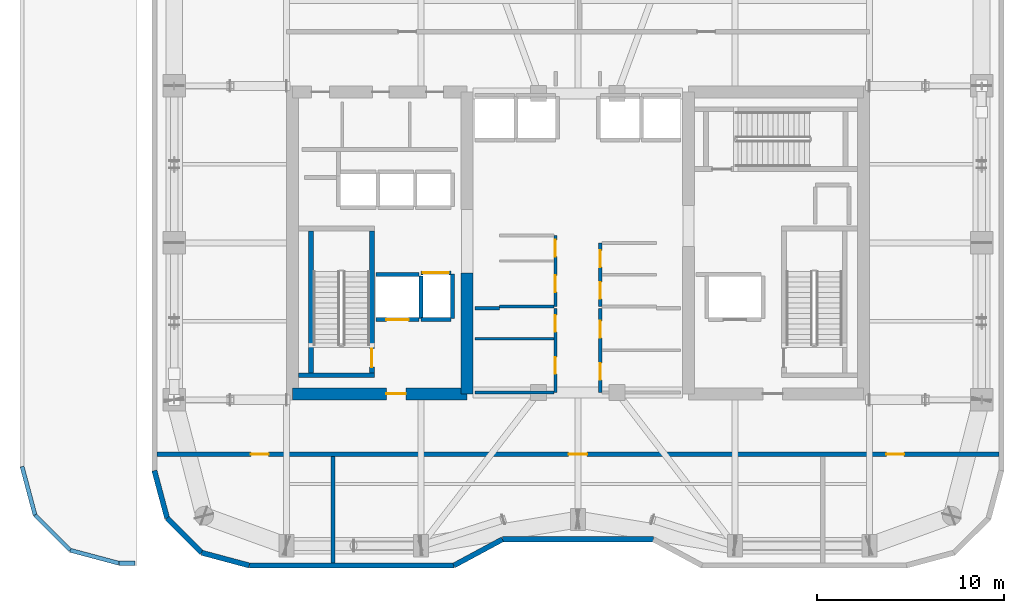
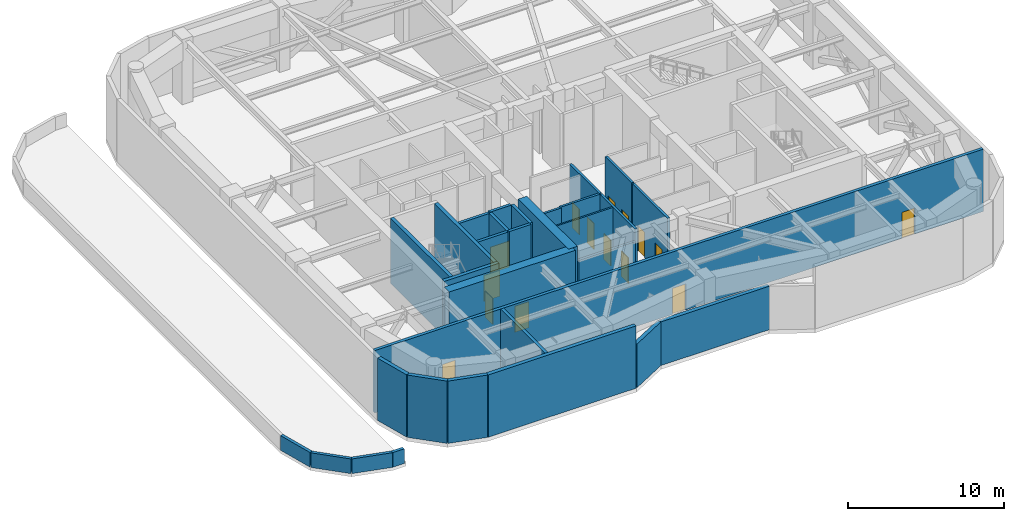
# One storey, part 11 of 16: 31 walls, 15 doors, 15 openings.
"""IFC4 building model written with IfcOpenShell, lengths in metres."""

import ifcopenshell
import ifcopenshell.guid

model = None  # the IFC model being written
_history = None  # IfcOwnerHistory: only IFC2X3 demands one
_inside = {}  # id of a spatial element -> (the spatial element, [elements in it])
_under = {}  # id of a project, library or spatial element -> (it, [spatial elements below it])
_declared = {}  # id of a project -> (the project, [libraries it declares])
_typed = {}  # id of a type object -> (the type object, [elements of that type])
_made_of = {}  # id of a material, layer set ... -> (it, [elements and type objects made of it])


def new_model(schema):
    """Start an empty IFC model of exactly this schema.

    Asked for "IFC4X3", IfcOpenShell would pick the latest addendum, in which some entities
    have other attributes; the version numbers below select the first issue.
    IFC2X3 requires an IfcOwnerHistory on every rooted entity: one is made here for all.
    """
    global model, _history
    if schema == "IFC4X3":
        model = ifcopenshell.file(schema_version=(4, 3, 0, 0))
    else:
        model = ifcopenshell.file(schema=schema)
    _inside.clear()
    _under.clear()
    _declared.clear()
    _typed.clear()
    _made_of.clear()
    _history = None
    if model.schema == "IFC2X3":
        org = make("IfcOrganization", Name="unknown")
        user = make(
            "IfcPersonAndOrganization",
            ThePerson=make("IfcPerson", FamilyName="unknown"),
            TheOrganization=org,
        )
        app = make(
            "IfcApplication",
            ApplicationDeveloper=org,
            Version="unknown",
            ApplicationFullName="unknown",
            ApplicationIdentifier="unknown",
        )
        _history = make(
            "IfcOwnerHistory",
            OwningUser=user,
            OwningApplication=app,
            ChangeAction="ADDED",
            CreationDate=0,
        )
    return model


def make(cls, **values):
    """One entity of the class cls with the attributes given. An attribute that is None is left unset."""
    return model.create_entity(
        cls, **{name: value for name, value in values.items() if value is not None}
    )


def rooted(cls, **values):
    """An entity with a GlobalId (a new one), such as an element, a storey or a relation."""
    return make(cls, GlobalId=ifcopenshell.guid.new(), OwnerHistory=_history, **values)


def si_unit(unit_type, name, prefix=None):
    """IfcSIUnit, for example si_unit("LENGTHUNIT", "METRE", prefix="MILLI")."""
    return make("IfcSIUnit", UnitType=unit_type, Prefix=prefix, Name=name)


def assignment(units):
    """IfcUnitAssignment: the units of a project."""
    return None if units is None else make("IfcUnitAssignment", Units=units)


def point(xyz):
    """IfcCartesianPoint."""
    return None if xyz is None else make("IfcCartesianPoint", Coordinates=xyz)


def direction(xyz):
    """IfcDirection."""
    return None if xyz is None else make("IfcDirection", DirectionRatios=xyz)


def frame(location, z_axis=None, x_axis=None):
    """IfcAxis2Placement3D, a coordinate frame: its origin and axes. An axis left out is left unset."""
    return make(
        "IfcAxis2Placement3D",
        Location=point(location),
        Axis=direction(z_axis),
        RefDirection=direction(x_axis),
    )


def frame_2d(location, x_axis=None):
    """IfcAxis2Placement2D, a coordinate frame in the plane: its origin and x axis."""
    return make(
        "IfcAxis2Placement2D", Location=point(location), RefDirection=direction(x_axis)
    )


def origin():
    """The frame at (0, 0, 0) with its axes left unset."""
    return frame((0.0, 0.0, 0.0))


def place(relative_to, where):
    """IfcLocalPlacement: puts the frame where relative to a parent placement (None: the world)."""
    return make(
        "IfcLocalPlacement", PlacementRelTo=relative_to, RelativePlacement=where
    )


def context(
    kind, dimensions, precision=None, world=None, true_north=None, identifier=None
):
    """IfcGeometricRepresentationContext, for example the 3D "Model" context."""
    return make(
        "IfcGeometricRepresentationContext",
        ContextIdentifier=identifier,
        ContextType=kind,
        CoordinateSpaceDimension=dimensions,
        Precision=precision,
        WorldCoordinateSystem=world,
        TrueNorth=true_north,
    )


def subcontext(parent, identifier, kind, view, scale=None):
    """IfcGeometricRepresentationSubContext, for example "Body" below "Model"."""
    return make(
        "IfcGeometricRepresentationSubContext",
        ContextIdentifier=identifier,
        ContextType=kind,
        ParentContext=parent,
        TargetScale=scale,
        TargetView=view,
    )


def project(units=None, contexts=None):
    """IfcProject with its units and contexts."""
    return rooted(
        "IfcProject",
        Name="project",
        RepresentationContexts=contexts,
        UnitsInContext=assignment(units),
    )


def spatial(cls, under=None, at=None, **own):
    """A site, building, storey or space (cls), placed at a placement, below another one or the project."""
    s = rooted(cls, ObjectPlacement=at, **own)
    if under is not None:
        _under.setdefault(under.id(), (under, []))[1].append(s)
    return s


def profile(cls, at=None, kind="AREA", **sizes):
    """A parametric profile (cls). Its sizes go by their IFC names, for example OverallWidth=200.0."""
    return make(cls, ProfileType=kind, Position=at, **sizes)


def rectangle(**sizes):
    """IfcRectangleProfileDef."""
    return profile("IfcRectangleProfileDef", **sizes)


def extrude(swept, where, along, depth):
    """IfcExtrudedAreaSolid: the profile swept, set in the frame where, extruded along a direction by depth."""
    return make(
        "IfcExtrudedAreaSolid",
        SweptArea=swept,
        Position=where,
        ExtrudedDirection=direction(along),
        Depth=depth,
    )


def shape(context_of_items, identifier, shape_type, items):
    """IfcShapeRepresentation: the items that make up one representation, for example the "Body"."""
    return make(
        "IfcShapeRepresentation",
        ContextOfItems=context_of_items,
        RepresentationIdentifier=identifier,
        RepresentationType=shape_type,
        Items=items,
    )


def material(Name=None, Category=None):
    """IfcMaterial."""
    return make("IfcMaterial", Name=Name, Category=Category)


def layer(
    of_material, thickness, ventilated=None, Name=None, Category=None, Priority=None
):
    """IfcMaterialLayer: one layer of a wall or slab, of a material (None: an air gap)."""
    return make(
        "IfcMaterialLayer",
        Material=of_material,
        LayerThickness=thickness,
        IsVentilated=ventilated,
        Name=Name,
        Category=Category,
        Priority=Priority,
    )


def layer_set(layers, Name=None):
    """IfcMaterialLayerSet."""
    return make("IfcMaterialLayerSet", MaterialLayers=layers, LayerSetName=Name)


def made_of(thing, what):
    """Note that an element or type object is made of a material, layer set ...; save() writes the relation."""
    if what is not None:
        _made_of.setdefault(what.id(), (what, []))[1].append(thing)
    return thing


def type_object(cls, material=None, **own):
    """A type object (cls), such as IfcWallType, which elements share."""
    return made_of(rooted(cls, **own), material)


def element(
    cls,
    number,
    at=None,
    inside=None,
    cuts=None,
    type_object=None,
    material=None,
    context=None,
    identifier="Body",
    shape_type=None,
    held_by="IfcProductDefinitionShape",
    body=None,
    shapes=None,
    **own,
):
    """One element of the class cls, such as IfcWall. Its Tag is "e" and its number.

    at: its placement. inside: the storey or other place that contains it. cuts: it is an
    opening in that element (IfcRelVoidsElement). A single representation is given by context,
    identifier, shape_type and body (its items); several are given by shapes. held_by: the class
    of the entity that holds the representations. save() writes the other relations.
    """
    e = rooted(cls, Tag="e%d" % number, ObjectPlacement=at, **own)
    if body is not None:
        shapes = [shape(context, identifier, shape_type, body)]
    if shapes is not None:
        e.Representation = make(held_by, Representations=shapes)
    if inside is not None:
        _inside.setdefault(inside.id(), (inside, []))[1].append(e)
    if cuts is not None:
        rooted(
            "IfcRelVoidsElement", RelatingBuildingElement=cuts, RelatedOpeningElement=e
        )
    if type_object is not None:
        _typed.setdefault(type_object.id(), (type_object, []))[1].append(e)
    return made_of(e, material)


def fill(opening, filler):
    """IfcRelFillsElement: the door or window that sits in an opening."""
    return rooted(
        "IfcRelFillsElement",
        RelatingOpeningElement=opening,
        RelatedBuildingElement=filler,
    )


def aggregate(whole, parts):
    """IfcRelAggregates: a whole, such as a stair, and the parts it consists of."""
    return rooted("IfcRelAggregates", RelatingObject=whole, RelatedObjects=parts)


def save(model, path):
    """Write the relations noted so far, then the file.

    IfcRelAggregates (storeys below a building ...), IfcRelContainedInSpatialStructure (elements
    in a storey), IfcRelDefinesByType, IfcRelAssociatesMaterial and IfcRelDeclares: one each for
    every whole, place, type object, material and project.
    """
    for whole, parts in _under.values():
        aggregate(whole, parts)
    for where, things in _inside.values():
        rooted(
            "IfcRelContainedInSpatialStructure",
            RelatedElements=things,
            RelatingStructure=where,
        )
    for kind, things in _typed.values():
        rooted("IfcRelDefinesByType", RelatedObjects=things, RelatingType=kind)
    for what, things in _made_of.values():
        rooted("IfcRelAssociatesMaterial", RelatedObjects=things, RelatingMaterial=what)
    for by, libraries in _declared.values():
        rooted("IfcRelDeclares", RelatingContext=by, RelatedDefinitions=libraries)
    model.write(path)


model = new_model("IFC4")

# Units and contexts
model_context = context("Model", 3, precision=1e-05, world=origin(), true_north=direction((0.0, 1.0)))
body_context = subcontext(model_context, "Body", "Model", "MODEL_VIEW")
ifc_project = project(units=[si_unit("LENGTHUNIT", "METRE"), si_unit("AREAUNIT", "SQUARE_METRE"), si_unit("VOLUMEUNIT", "CUBIC_METRE"), si_unit("PLANEANGLEUNIT", "RADIAN"), si_unit("MASSUNIT", "GRAM", prefix="KILO")], contexts=[model_context])

# Site, building, storey
site_placement = place(None, origin())
site = spatial("IfcSite", under=ifc_project, at=site_placement, CompositionType="ELEMENT")
building_placement = place(site_placement, origin())
building = spatial("IfcBuilding", under=site, at=building_placement, Name="Kiyonajd Concourse Tower", CompositionType="ELEMENT")
storey_placement = place(building_placement, frame((0.0, 0.0, 209.699951171875)))
storey = spatial("IfcBuildingStorey", under=building, at=storey_placement, Name="L53", CompositionType="ELEMENT", Elevation=209.699951171875)

# Wall
ifc_material_1 = material(Name="Concrete C60/75", Category="concrete")
ifc_layer_1 = layer(ifc_material_1, 0.64990234375)
ifc_layer_set_1 = layer_set([ifc_layer_1], Name="Concrete C60/75")
wall_type_1 = type_object("IfcWallType", Name="WL-CORE-650", PredefinedType="SHEAR", material=ifc_layer_set_1)
wall_1_placement = place(storey_placement, frame((42.074951171875, 27.925048828125, 0.0), z_axis=(0.0, 0.0, 1.0), x_axis=(0.0, 1.0, 0.0)))
element("IfcWall", 1, at=wall_1_placement, inside=storey, type_object=wall_type_1, Name="L53 West Core Inner South Shear Wall", PredefinedType="SHEAR", context=body_context, shape_type="SweptSolid", body=[
    extrude(rectangle(XDim=6.474853515625, YDim=0.64990234375, at=frame_2d((3.2373046875, 0.0))), origin(), (0.0, 0.0, 1.0), 5.10009765625),
])

# Wall, opening, door
wall_2_placement = place(storey_placement, frame((32.72509765625, 27.925048828125, 0.0), z_axis=(0.0, 0.0, 1.0), x_axis=(1.0, 0.0, 0.0)))
wall_2 = element("IfcWall", 2, at=wall_2_placement, inside=storey, type_object=wall_type_1, Name="L53 West Core South Shear Wall", PredefinedType="SHEAR", context=body_context, shape_type="SweptSolid", body=[
    extrude(rectangle(XDim=9.349853515625, YDim=0.64990234375, at=frame_2d((4.6748046875, 0.0))), origin(), (0.0, 0.0, 1.0), 5.10009765625),
])
opening_1_placement = place(wall_2_placement, frame((5.02490234375, 0.0, 0.0)))
opening_1 = element("IfcOpeningElement", 3, at=opening_1_placement, cuts=wall_2, Name="Opening DF5", PredefinedType="OPENING", context=body_context, shape_type="SweptSolid", body=[
    extrude(rectangle(XDim=1.050048828125, YDim=2.0400390625, at=frame_2d((0.52490234375, 1.02001953125))), frame((0.0, 0.3349609375, 0.0), z_axis=(0.0, -1.0, 0.0), x_axis=(1.0, 0.0, 0.0)), (0.0, 0.0, 1.0), 0.669921875),
])
ifc_material_2 = material(Name="Brushed Stainless Steel Cab Assembly", Category="steel")
door_type_1 = type_object("IfcDoorType", Name="DR-FD45-1050", OperationType="NOTDEFINED", PredefinedType="DOOR", material=ifc_material_2)
door_1_placement = place(opening_1_placement, origin())
door_1 = element("IfcDoor", 4, at=door_1_placement, inside=storey, type_object=door_type_1, Name="L53 Firefighting Lift Lobby W Smoke Door", OperationType="SINGLE_SWING_LEFT", OverallHeight=2.0400390625, OverallWidth=1.050048828125, PredefinedType="DOOR", context=body_context, shape_type="SweptSolid", body=[
    extrude(rectangle(XDim=1.050048828125, YDim=2.0400390625, at=frame_2d((0.52490234375, 1.02001953125))), frame((0.0, 0.02490234375, 0.0), z_axis=(0.0, -1.0, 0.0), x_axis=(1.0, 0.0, 0.0)), (0.0, 0.0, 1.0), 0.050048828125),
])
fill(opening_1, door_1)

# Walls
ifc_material_3 = material(Name="Precast concrete C50/60", Category="concrete")
ifc_layer_2 = layer(ifc_material_3, 0.280029296875)
ifc_layer_set_2 = layer_set([ifc_layer_2], Name="Precast concrete C50/60")
wall_type_2 = type_object("IfcWallType", Name="WL-EXT-280", PredefinedType="SOLIDWALL", material=ifc_layer_set_2)
wall_3_placement = place(storey_placement, frame((52.035400390625, 20.139892578125, 0.0), z_axis=(0.0, 0.0, 1.0), x_axis=(-1.0, 0.0, 0.0)))
element("IfcWall", 5, at=wall_3_placement, inside=storey, type_object=wall_type_2, Name="L53 Exterior Concrete Frame Wall 18", PredefinedType="SOLIDWALL", context=body_context, shape_type="SweptSolid", body=[
    extrude(rectangle(XDim=8.07080078125, YDim=0.280029296875, at=frame_2d((4.035400390625, 0.0))), origin(), (0.0, 0.0, 1.0), 3.4150390625),
])
wall_4_placement = place(storey_placement, frame((43.964599609375, 20.139892578125, 0.0), z_axis=(0.0, 0.0, 1.0), x_axis=(-0.880473754814, -0.474094892488, 0.0)))
element("IfcWall", 6, at=wall_4_placement, inside=storey, type_object=wall_type_2, Name="L53 Exterior Concrete Frame Wall 19", PredefinedType="SOLIDWALL", context=body_context, shape_type="SweptSolid", body=[
    extrude(rectangle(XDim=2.952880859375, YDim=0.280029296875, at=frame_2d((1.4765625, 0.0))), origin(), (0.0, 0.0, 1.0), 3.4150390625),
])
wall_5_placement = place(storey_placement, frame((41.36474609375, 18.739990234375, 0.0), z_axis=(0.0, 0.0, 1.0), x_axis=(-1.0, 0.0, 0.0)))
element("IfcWall", 7, at=wall_5_placement, inside=storey, type_object=wall_type_2, Name="L53 Exterior Concrete Frame Wall 20", PredefinedType="SOLIDWALL", context=body_context, shape_type="SweptSolid", body=[
    extrude(rectangle(XDim=10.9462890625, YDim=0.280029296875, at=frame_2d((5.47314453125, 0.0))), origin(), (0.0, 0.0, 1.0), 4.880126953125),
])
wall_6_placement = place(storey_placement, frame((30.41845703125, 18.739990234375, 0.0), z_axis=(0.0, 0.0, 1.0), x_axis=(-0.965883534663, 0.258976828051, 0.0)))
element("IfcWall", 8, at=wall_6_placement, inside=storey, type_object=wall_type_2, Name="L53 Exterior Concrete Frame Wall 21", PredefinedType="SOLIDWALL", context=body_context, shape_type="SweptSolid", body=[
    extrude(rectangle(XDim=2.6357421875, YDim=0.280029296875, at=frame_2d((1.31787109375, 0.0))), origin(), (0.0, 0.0, 1.0), 4.880126953125),
])
wall_7_placement = place(storey_placement, frame((27.87255859375, 19.422607421875, 0.0), z_axis=(0.0, 0.0, 1.0), x_axis=(-0.707153437963, 0.707060121331, 0.0)))
element("IfcWall", 9, at=wall_7_placement, inside=storey, type_object=wall_type_2, Name="L53 Exterior Concrete Frame Wall 22", PredefinedType="SOLIDWALL", context=body_context, shape_type="SweptSolid", body=[
    extrude(rectangle(XDim=2.6162109375, YDim=0.280029296875, at=frame_2d((1.30810546875, 0.0))), origin(), (0.0, 0.0, 1.0), 4.880126953125),
])
wall_8_placement = place(storey_placement, frame((26.0224609375, 21.2724609375, 0.0), z_axis=(0.0, 0.0, 1.0), x_axis=(-0.2588904131, 0.965906700466, 0.0)))
element("IfcWall", 10, at=wall_8_placement, inside=storey, type_object=wall_type_2, Name="L53 Exterior Concrete Frame Wall 23", PredefinedType="SOLIDWALL", context=body_context, shape_type="SweptSolid", body=[
    extrude(rectangle(XDim=2.6357421875, YDim=0.280029296875, at=frame_2d((1.31787109375, 0.0))), origin(), (0.0, 0.0, 1.0), 4.880126953125),
])

# Wall, openings, doors
ifc_material_4 = material(Name="Gypsum Board on Cold-Formed Steel Stud", Category="steel")
ifc_layer_3 = layer(ifc_material_4, 0.22998046875)
ifc_layer_set_3 = layer_set([ifc_layer_3], Name="Gypsum Board on Cold-Formed Steel Stud")
wall_type_3 = type_object("IfcWallType", Name="WL-FIRE-230", PredefinedType="PARTITIONING", material=ifc_layer_set_3)
wall_9_placement = place(storey_placement, frame((25.47509765625, 24.699951171875, 0.0), z_axis=(0.0, 0.0, 1.0), x_axis=(1.0, 0.0, 0.0)))
wall_9 = element("IfcWall", 11, at=wall_9_placement, inside=storey, type_object=wall_type_3, Name="L53 Interior Partition Wall", PredefinedType="PARTITIONING", context=body_context, shape_type="SweptSolid", body=[
    extrude(rectangle(XDim=45.0498046875, YDim=0.22998046875, at=frame_2d((22.52490234375, 0.0))), origin(), (0.0, 0.0, 1.0), 4.880126953125),
])
opening_2_placement = place(wall_9_placement, frame((22.02490234375, 0.0, 0.0)))
opening_2 = element("IfcOpeningElement", 12, at=opening_2_placement, cuts=wall_9, Name="Opening DF1", PredefinedType="OPENING", context=body_context, shape_type="SweptSolid", body=[
    extrude(rectangle(XDim=1.0, YDim=2.0400390625, at=frame_2d((0.5, 1.02001953125))), frame((0.0, 0.125, 0.0), z_axis=(0.0, -1.0, 0.0), x_axis=(1.0, 0.0, 0.0)), (0.0, 0.0, 1.0), 0.25),
])
opening_3_placement = place(wall_9_placement, frame((5.02490234375, 0.0, 0.0)))
opening_3 = element("IfcOpeningElement", 13, at=opening_3_placement, cuts=wall_9, Name="Opening DF3", PredefinedType="OPENING", context=body_context, shape_type="SweptSolid", body=[
    extrude(rectangle(XDim=0.949951171875, YDim=2.0400390625, at=frame_2d((0.47509765625, 1.02001953125))), frame((0.0, 0.125, 0.0), z_axis=(0.0, -1.0, 0.0), x_axis=(1.0, 0.0, 0.0)), (0.0, 0.0, 1.0), 0.25),
])
opening_4_placement = place(wall_9_placement, frame((39.02490234375, 0.0, 0.0)))
opening_4 = element("IfcOpeningElement", 14, at=opening_4_placement, cuts=wall_9, Name="Opening DF3", PredefinedType="OPENING", context=body_context, shape_type="SweptSolid", body=[
    extrude(rectangle(XDim=0.949951171875, YDim=2.0400390625, at=frame_2d((0.47509765625, 1.02001953125))), frame((0.0, 0.125, 0.0), z_axis=(0.0, -1.0, 0.0), x_axis=(1.0, 0.0, 0.0)), (0.0, 0.0, 1.0), 0.25),
])
door_type_2 = type_object("IfcDoorType", Name="DR-FD60-950", OperationType="NOTDEFINED", PredefinedType="DOOR", material=ifc_material_2)
door_2_placement = place(opening_3_placement, origin())
door_2 = element("IfcDoor", 15, at=door_2_placement, inside=storey, type_object=door_type_2, Name="L53 Interior Door", OperationType="SINGLE_SWING_LEFT", OverallHeight=2.0400390625, OverallWidth=0.949951171875, PredefinedType="DOOR", context=body_context, shape_type="SweptSolid", body=[
    extrude(rectangle(XDim=0.949951171875, YDim=2.0400390625, at=frame_2d((0.47509765625, 1.02001953125))), frame((0.0, 0.02490234375, 0.0), z_axis=(0.0, -1.0, 0.0), x_axis=(1.0, 0.0, 0.0)), (0.0, 0.0, 1.0), 0.050048828125),
])
fill(opening_3, door_2)
door_3_placement = place(opening_4_placement, origin())
door_3 = element("IfcDoor", 16, at=door_3_placement, inside=storey, type_object=door_type_2, Name="L53 Interior Door", OperationType="SINGLE_SWING_RIGHT", OverallHeight=2.0400390625, OverallWidth=0.949951171875, PredefinedType="DOOR", context=body_context, shape_type="SweptSolid", body=[
    extrude(rectangle(XDim=0.949951171875, YDim=2.0400390625, at=frame_2d((0.47509765625, 1.02001953125))), frame((0.0, 0.02490234375, 0.0), z_axis=(0.0, -1.0, 0.0), x_axis=(1.0, 0.0, 0.0)), (0.0, 0.0, 1.0), 0.050048828125),
])
fill(opening_4, door_3)
door_type_3 = type_object("IfcDoorType", Name="DR-FD90-1000", OperationType="NOTDEFINED", PredefinedType="DOOR", material=ifc_material_2)
door_4_placement = place(opening_2_placement, origin())
door_4 = element("IfcDoor", 17, at=door_4_placement, inside=storey, type_object=door_type_3, Name="L53 Interior Door", OperationType="SINGLE_SWING_RIGHT", OverallHeight=2.0400390625, OverallWidth=1.0, PredefinedType="DOOR", context=body_context, shape_type="SweptSolid", body=[
    extrude(rectangle(XDim=1.0, YDim=2.0400390625, at=frame_2d((0.5, 1.02001953125))), frame((0.0, 0.02490234375, 0.0), z_axis=(0.0, -1.0, 0.0), x_axis=(1.0, 0.0, 0.0)), (0.0, 0.0, 1.0), 0.050048828125),
])
fill(opening_2, door_4)

# Walls
wall_10_placement = place(storey_placement, frame((34.89990234375, 18.875, 0.0), z_axis=(0.0, 0.0, 1.0), x_axis=(0.0, 1.0, 0.0)))
element("IfcWall", 18, at=wall_10_placement, inside=storey, type_object=wall_type_3, Name="L53 Interior Partition Wall", PredefinedType="PARTITIONING", context=body_context, shape_type="SweptSolid", body=[
    extrude(rectangle(XDim=5.7080078125, YDim=0.22998046875, at=frame_2d((2.85400390625, 0.0))), origin(), (0.0, 0.0, 1.0), 4.880126953125),
])
ifc_layer_4 = layer(ifc_material_3, 0.219970703125)
ifc_layer_set_4 = layer_set([ifc_layer_4], Name="Precast concrete C50/60")
wall_type_4 = type_object("IfcWallType", Name="WL-PAR-220", PredefinedType="PARAPET", material=ifc_layer_set_4)
wall_11_placement = place(storey_placement, frame((24.2900390625, 18.860107421875, 0.0), z_axis=(0.0, 0.0, 1.0), x_axis=(-1.0, 0.0, 0.0)))
element("IfcWall", 19, at=wall_11_placement, inside=storey, type_object=wall_type_4, Name="L53 Setback Roof Parapet 05", PredefinedType="PARAPET", context=body_context, shape_type="SweptSolid", body=[
    extrude(rectangle(XDim=0.85546875, YDim=0.219970703125, at=frame_2d((0.427734375, 0.0))), origin(), (0.0, 0.0, 1.0), 1.150146484375),
])
wall_12_placement = place(storey_placement, frame((23.4345703125, 18.860107421875, 0.0), z_axis=(0.0, 0.0, 1.0), x_axis=(-0.966019276072, 0.258470033577, 0.0)))
element("IfcWall", 20, at=wall_12_placement, inside=storey, type_object=wall_type_4, Name="L53 Setback Roof Parapet 06", PredefinedType="PARAPET", context=body_context, shape_type="SweptSolid", body=[
    extrude(rectangle(XDim=2.691162109375, YDim=0.219970703125, at=frame_2d((1.345703125, 0.0))), origin(), (0.0, 0.0, 1.0), 1.150146484375),
])
wall_13_placement = place(storey_placement, frame((20.8349609375, 19.5556640625, 0.0), z_axis=(0.0, 0.0, 1.0), x_axis=(-0.707152710632, 0.707060848758, 0.0)))
element("IfcWall", 21, at=wall_13_placement, inside=storey, type_object=wall_type_4, Name="L53 Setback Roof Parapet 07", PredefinedType="PARAPET", context=body_context, shape_type="SweptSolid", body=[
    extrude(rectangle(XDim=2.65771484375, YDim=0.219970703125, at=frame_2d((1.328857421875, 0.0))), origin(), (0.0, 0.0, 1.0), 1.150146484375),
])
wall_14_placement = place(storey_placement, frame((18.95556640625, 21.434814453125, 0.0), z_axis=(0.0, 0.0, 1.0), x_axis=(-0.258470033577, 0.966019276072, 0.0)))
element("IfcWall", 22, at=wall_14_placement, inside=storey, type_object=wall_type_4, Name="L53 Setback Roof Parapet 08", PredefinedType="PARAPET", context=body_context, shape_type="SweptSolid", body=[
    extrude(rectangle(XDim=2.691162109375, YDim=0.219970703125, at=frame_2d((1.345703125, 0.0))), origin(), (0.0, 0.0, 1.0), 1.150146484375),
])
ifc_layer_5 = layer(ifc_material_4, 0.125)
ifc_layer_set_5 = layer_set([ifc_layer_5], Name="Gypsum Board on Cold-Formed Steel Stud")
wall_type_5 = type_object("IfcWallType", Name="WL-PART-125", PredefinedType="PARTITIONING", material=ifc_layer_set_5)
wall_15_placement = place(storey_placement, frame((42.5, 30.8798828125, 0.0), z_axis=(0.0, 0.0, 1.0), x_axis=(1.0, 0.0, 0.0)))
element("IfcWall", 23, at=wall_15_placement, inside=storey, type_object=wall_type_5, Name="L53 Interior Partition Wall", PredefinedType="PARTITIONING", context=body_context, shape_type="SweptSolid", body=[
    extrude(rectangle(XDim=4.212890625, YDim=0.125, at=frame_2d((2.1064453125, 0.0))), origin(), (0.0, 0.0, 1.0), 4.880126953125),
])

# Wall, opening, door
ifc_layer_6 = layer(ifc_material_4, 0.2099609375)
ifc_layer_set_6 = layer_set([ifc_layer_6], Name="Gypsum Board on Cold-Formed Steel Stud")
wall_type_6 = type_object("IfcWallType", Name="WL-SHAFT-210", PredefinedType="PARTITIONING", material=ifc_layer_set_6)
wall_16_placement = place(storey_placement, frame((37.199951171875, 31.89990234375, 0.0), z_axis=(0.0, 0.0, 1.0), x_axis=(1.0, 0.0, 0.0)))
wall_16 = element("IfcWall", 24, at=wall_16_placement, inside=storey, type_object=wall_type_6, Name="L53 Shaft Enclosure Wall", PredefinedType="PARTITIONING", context=body_context, shape_type="SweptSolid", body=[
    extrude(rectangle(XDim=2.300048828125, YDim=0.2099609375, at=frame_2d((1.14990234375, 0.0))), origin(), (0.0, 0.0, 1.0), 4.880126953125),
])
opening_5_placement = place(wall_16_placement, frame((0.550048828125, 0.0, 0.0)))
opening_5 = element("IfcOpeningElement", 25, at=opening_5_placement, cuts=wall_16, Name="Opening LD2", PredefinedType="OPENING", context=body_context, shape_type="SweptSolid", body=[
    extrude(rectangle(XDim=1.199951171875, YDim=2.0400390625, at=frame_2d((0.60009765625, 1.02001953125))), frame((0.0, 0.114990234375, 0.0), z_axis=(0.0, -1.0, 0.0), x_axis=(1.0, 0.0, 0.0)), (0.0, 0.0, 1.0), 0.22998046875),
])
door_type_4 = type_object("IfcDoorType", Name="DR-LD-1200", OperationType="DOUBLE_DOOR_SLIDING", PredefinedType="DOOR", material=ifc_material_2)
door_5_placement = place(opening_5_placement, origin())
door_5 = element("IfcDoor", 26, at=door_5_placement, inside=storey, type_object=door_type_4, Name="L53 Lift FFL1 Sliding Landing Door", OperationType="DOUBLE_DOOR_SLIDING", OverallHeight=2.0400390625, OverallWidth=1.199951171875, PredefinedType="DOOR", context=body_context, shape_type="SweptSolid", body=[
    extrude(rectangle(XDim=1.199951171875, YDim=2.0400390625, at=frame_2d((0.60009765625, 1.02001953125))), frame((0.0, 0.02490234375, 0.0), z_axis=(0.0, -1.0, 0.0), x_axis=(1.0, 0.0, 0.0)), (0.0, 0.0, 1.0), 0.050048828125),
])
fill(opening_5, door_5)

# Walls
wall_17_placement = place(storey_placement, frame((37.199951171875, 34.300048828125, 0.0), z_axis=(0.0, 0.0, 1.0), x_axis=(1.0, 0.0, 0.0)))
element("IfcWall", 27, at=wall_17_placement, inside=storey, type_object=wall_type_6, Name="L53 Shaft Enclosure Wall", PredefinedType="PARTITIONING", context=body_context, shape_type="SweptSolid", body=[
    extrude(rectangle(XDim=2.300048828125, YDim=0.2099609375, at=frame_2d((1.14990234375, 0.0))), origin(), (0.0, 0.0, 1.0), 4.880126953125),
])
wall_18_placement = place(storey_placement, frame((39.60009765625, 31.9599609375, 0.0), z_axis=(0.0, 0.0, 1.0), x_axis=(0.0, 1.0, 0.0)))
element("IfcWall", 28, at=wall_18_placement, inside=storey, type_object=wall_type_6, Name="L53 Shaft Enclosure Wall", PredefinedType="PARTITIONING", context=body_context, shape_type="SweptSolid", body=[
    extrude(rectangle(XDim=2.280029296875, YDim=0.2099609375, at=frame_2d((1.14013671875, 0.0))), origin(), (0.0, 0.0, 1.0), 4.880126953125),
])

# Wall, opening, door
wall_19_placement = place(storey_placement, frame((39.60009765625, 34.39990234375, 0.0), z_axis=(0.0, 0.0, 1.0), x_axis=(1.0, 0.0, 0.0)))
wall_19 = element("IfcWall", 29, at=wall_19_placement, inside=storey, type_object=wall_type_6, Name="L53 Shaft Enclosure Wall", PredefinedType="PARTITIONING", context=body_context, shape_type="SweptSolid", body=[
    extrude(rectangle(XDim=1.599853515625, YDim=0.2099609375, at=frame_2d((0.7998046875, 0.0))), origin(), (0.0, 0.0, 1.0), 4.880126953125),
])
opening_6_placement = place(wall_19_placement, frame((0.10009765625, 0.0, 0.0)))
opening_6 = element("IfcOpeningElement", 30, at=opening_6_placement, cuts=wall_19, Name="Opening LD3", PredefinedType="OPENING", context=body_context, shape_type="SweptSolid", body=[
    extrude(rectangle(XDim=1.39990234375, YDim=2.06005859375, at=frame_2d((0.699951171875, 1.030029296875))), frame((0.0, 0.114990234375, 0.0), z_axis=(0.0, -1.0, 0.0), x_axis=(1.0, 0.0, 0.0)), (0.0, 0.0, 1.0), 0.22998046875),
])
door_type_5 = type_object("IfcDoorType", Name="DR-LD-1400", OperationType="DOUBLE_DOOR_SLIDING", PredefinedType="DOOR", material=ifc_material_2)
door_6_placement = place(opening_6_placement, origin())
door_6 = element("IfcDoor", 31, at=door_6_placement, inside=storey, type_object=door_type_5, Name="L53 Lift SVL1 Sliding Landing Door", OperationType="DOUBLE_DOOR_SLIDING", OverallHeight=2.06005859375, OverallWidth=1.39990234375, PredefinedType="DOOR", context=body_context, shape_type="SweptSolid", body=[
    extrude(rectangle(XDim=1.39990234375, YDim=2.06005859375, at=frame_2d((0.699951171875, 1.030029296875))), frame((0.0, 0.02490234375, 0.0), z_axis=(0.0, -1.0, 0.0), x_axis=(1.0, 0.0, 0.0)), (0.0, 0.0, 1.0), 0.050048828125),
])
fill(opening_6, door_6)

# Walls
wall_20_placement = place(storey_placement, frame((39.60009765625, 31.89990234375, 0.0), z_axis=(0.0, 0.0, 1.0), x_axis=(1.0, 0.0, 0.0)))
element("IfcWall", 32, at=wall_20_placement, inside=storey, type_object=wall_type_6, Name="L53 Shaft Enclosure Wall", PredefinedType="PARTITIONING", context=body_context, shape_type="SweptSolid", body=[
    extrude(rectangle(XDim=1.599853515625, YDim=0.2099609375, at=frame_2d((0.7998046875, 0.0))), origin(), (0.0, 0.0, 1.0), 4.880126953125),
])
wall_21_placement = place(storey_placement, frame((41.300048828125, 31.9599609375, 0.0), z_axis=(0.0, 0.0, 1.0), x_axis=(0.0, 1.0, 0.0)))
element("IfcWall", 33, at=wall_21_placement, inside=storey, type_object=wall_type_6, Name="L53 Shaft Enclosure Wall", PredefinedType="PARTITIONING", context=body_context, shape_type="SweptSolid", body=[
    extrude(rectangle(XDim=2.380126953125, YDim=0.2099609375, at=frame_2d((1.18994140625, 0.0))), origin(), (0.0, 0.0, 1.0), 4.880126953125),
])

# Wall, openings, doors
ifc_layer_7 = layer(ifc_material_4, 0.169921875)
ifc_layer_set_7 = layer_set([ifc_layer_7], Name="Gypsum Board on Cold-Formed Steel Stud")
wall_type_7 = type_object("IfcWallType", Name="WL-SMK-170", PredefinedType="PARTITIONING", material=ifc_layer_set_7)
wall_22_placement = place(storey_placement, frame((46.800048828125, 32.60009765625, 0.0), z_axis=(0.0, 0.0, 1.0), x_axis=(0.0, 1.0, 0.0)))
wall_22 = element("IfcWall", 34, at=wall_22_placement, inside=storey, type_object=wall_type_7, Name="L53 Interior Partition Wall", PredefinedType="PARTITIONING", context=body_context, shape_type="SweptSolid", body=[
    extrude(rectangle(XDim=3.7998046875, YDim=0.169921875, at=frame_2d((1.89990234375, 0.0))), origin(), (0.0, 0.0, 1.0), 4.880126953125),
])
opening_7_placement = place(wall_22_placement, frame((0.76611328125, 0.0, 0.0)))
opening_7 = element("IfcOpeningElement", 35, at=opening_7_placement, cuts=wall_22, Name="Opening DF4", PredefinedType="OPENING", context=body_context, shape_type="SweptSolid", body=[
    extrude(rectangle(XDim=0.89990234375, YDim=2.02001953125, at=frame_2d((0.449951171875, 1.010009765625))), frame((0.0, 0.094970703125, 0.0), z_axis=(0.0, -1.0, 0.0), x_axis=(1.0, 0.0, 0.0)), (0.0, 0.0, 1.0), 0.18994140625),
])
opening_8_placement = place(wall_22_placement, frame((2.666015625, 0.0, 0.0)))
opening_8 = element("IfcOpeningElement", 36, at=opening_8_placement, cuts=wall_22, Name="Opening DF4", PredefinedType="OPENING", context=body_context, shape_type="SweptSolid", body=[
    extrude(rectangle(XDim=0.89990234375, YDim=2.02001953125, at=frame_2d((0.449951171875, 1.010009765625))), frame((0.0, 0.094970703125, 0.0), z_axis=(0.0, -1.0, 0.0), x_axis=(1.0, 0.0, 0.0)), (0.0, 0.0, 1.0), 0.18994140625),
])
door_type_6 = type_object("IfcDoorType", Name="DR-FD60-900", OperationType="NOTDEFINED", PredefinedType="DOOR", material=ifc_material_2)
door_7_placement = place(opening_7_placement, origin())
door_7 = element("IfcDoor", 37, at=door_7_placement, inside=storey, type_object=door_type_6, Name="L53 Interior Door", OperationType="SINGLE_SWING_RIGHT", OverallHeight=2.02001953125, OverallWidth=0.89990234375, PredefinedType="DOOR", context=body_context, shape_type="SweptSolid", body=[
    extrude(rectangle(XDim=0.89990234375, YDim=2.02001953125, at=frame_2d((0.449951171875, 1.010009765625))), frame((0.0, 0.02490234375, 0.0), z_axis=(0.0, -1.0, 0.0), x_axis=(1.0, 0.0, 0.0)), (0.0, 0.0, 1.0), 0.050048828125),
])
fill(opening_7, door_7)
door_8_placement = place(opening_8_placement, origin())
door_8 = element("IfcDoor", 38, at=door_8_placement, inside=storey, type_object=door_type_6, Name="L53 Interior Door", OperationType="SINGLE_SWING_LEFT", OverallHeight=2.02001953125, OverallWidth=0.89990234375, PredefinedType="DOOR", context=body_context, shape_type="SweptSolid", body=[
    extrude(rectangle(XDim=0.89990234375, YDim=2.02001953125, at=frame_2d((0.449951171875, 1.010009765625))), frame((0.0, 0.02490234375, 0.0), z_axis=(0.0, -1.0, 0.0), x_axis=(1.0, 0.0, 0.0)), (0.0, 0.0, 1.0), 0.050048828125),
])
fill(opening_8, door_8)

# Wall
wall_23_placement = place(storey_placement, frame((43.800048828125, 32.60009765625, 0.0), z_axis=(0.0, 0.0, 1.0), x_axis=(1.0, 0.0, 0.0)))
element("IfcWall", 39, at=wall_23_placement, inside=storey, type_object=wall_type_7, Name="L53 Interior Partition Wall", PredefinedType="PARTITIONING", context=body_context, shape_type="SweptSolid", body=[
    extrude(rectangle(XDim=2.912841796875, YDim=0.169921875, at=frame_2d((1.45654296875, 0.0))), origin(), (0.0, 0.0, 1.0), 4.880126953125),
])

# Wall, openings, doors
wall_24_placement = place(storey_placement, frame((49.199951171875, 32.60009765625, 0.0), z_axis=(0.0, 0.0, 1.0), x_axis=(0.0, 1.0, 0.0)))
wall_24 = element("IfcWall", 40, at=wall_24_placement, inside=storey, type_object=wall_type_7, Name="L53 Interior Partition Wall", PredefinedType="PARTITIONING", context=body_context, shape_type="SweptSolid", body=[
    extrude(rectangle(XDim=3.39990234375, YDim=0.169921875, at=frame_2d((1.699951171875, 0.0))), origin(), (0.0, 0.0, 1.0), 4.880126953125),
])
opening_9_placement = place(wall_24_placement, frame((0.39990234375, 0.0, 0.0)))
opening_9 = element("IfcOpeningElement", 41, at=opening_9_placement, cuts=wall_24, Name="Opening DI2", PredefinedType="OPENING", context=body_context, shape_type="SweptSolid", body=[
    extrude(rectangle(XDim=0.89990234375, YDim=2.02001953125, at=frame_2d((0.449951171875, 1.010009765625))), frame((0.0, 0.094970703125, 0.0), z_axis=(0.0, -1.0, 0.0), x_axis=(1.0, 0.0, 0.0)), (0.0, 0.0, 1.0), 0.18994140625),
])
opening_10_placement = place(wall_24_placement, frame((2.10009765625, 0.0, 0.0)))
opening_10 = element("IfcOpeningElement", 42, at=opening_10_placement, cuts=wall_24, Name="Opening DI2", PredefinedType="OPENING", context=body_context, shape_type="SweptSolid", body=[
    extrude(rectangle(XDim=0.89990234375, YDim=2.02001953125, at=frame_2d((0.449951171875, 1.010009765625))), frame((0.0, 0.094970703125, 0.0), z_axis=(0.0, -1.0, 0.0), x_axis=(1.0, 0.0, 0.0)), (0.0, 0.0, 1.0), 0.18994140625),
])
ifc_material_5 = material(Name="Natural Oak Acoustic Timber Veneer", Category="wood")
door_type_7 = type_object("IfcDoorType", Name="DR-INT-900", OperationType="NOTDEFINED", PredefinedType="DOOR", material=ifc_material_5)
door_9_placement = place(opening_9_placement, origin())
door_9 = element("IfcDoor", 43, at=door_9_placement, inside=storey, type_object=door_type_7, Name="L53 Interior Door", OperationType="SINGLE_SWING_RIGHT", OverallHeight=2.02001953125, OverallWidth=0.89990234375, PredefinedType="DOOR", context=body_context, shape_type="SweptSolid", body=[
    extrude(rectangle(XDim=0.89990234375, YDim=2.02001953125, at=frame_2d((0.449951171875, 1.010009765625))), frame((0.0, 0.02490234375, 0.0), z_axis=(0.0, -1.0, 0.0), x_axis=(1.0, 0.0, 0.0)), (0.0, 0.0, 1.0), 0.050048828125),
])
fill(opening_9, door_9)
door_10_placement = place(opening_10_placement, origin())
door_10 = element("IfcDoor", 44, at=door_10_placement, inside=storey, type_object=door_type_7, Name="L53 Interior Door", OperationType="SINGLE_SWING_LEFT", OverallHeight=2.02001953125, OverallWidth=0.89990234375, PredefinedType="DOOR", context=body_context, shape_type="SweptSolid", body=[
    extrude(rectangle(XDim=0.89990234375, YDim=2.02001953125, at=frame_2d((0.449951171875, 1.010009765625))), frame((0.0, 0.02490234375, 0.0), z_axis=(0.0, -1.0, 0.0), x_axis=(1.0, 0.0, 0.0)), (0.0, 0.0, 1.0), 0.050048828125),
])
fill(opening_10, door_10)

wall_25_placement = place(storey_placement, frame((46.800048828125, 28.0, 0.0), z_axis=(0.0, 0.0, 1.0), x_axis=(0.0, 1.0, 0.0)))
wall_25 = element("IfcWall", 45, at=wall_25_placement, inside=storey, type_object=wall_type_7, Name="L53 Interior Partition Wall", PredefinedType="PARTITIONING", context=body_context, shape_type="SweptSolid", body=[
    extrude(rectangle(XDim=4.5, YDim=0.169921875, at=frame_2d((2.25, 0.0))), origin(), (0.0, 0.0, 1.0), 4.880126953125),
])
opening_11_placement = place(wall_25_placement, frame((0.989990234375, 0.0, 0.0)))
opening_11 = element("IfcOpeningElement", 46, at=opening_11_placement, cuts=wall_25, Name="Opening DF4", PredefinedType="OPENING", context=body_context, shape_type="SweptSolid", body=[
    extrude(rectangle(XDim=0.89990234375, YDim=2.02001953125, at=frame_2d((0.449951171875, 1.010009765625))), frame((0.0, 0.094970703125, 0.0), z_axis=(0.0, -1.0, 0.0), x_axis=(1.0, 0.0, 0.0)), (0.0, 0.0, 1.0), 0.18994140625),
])
opening_12_placement = place(wall_25_placement, frame((3.239990234375, 0.0, 0.0)))
opening_12 = element("IfcOpeningElement", 47, at=opening_12_placement, cuts=wall_25, Name="Opening DF4", PredefinedType="OPENING", context=body_context, shape_type="SweptSolid", body=[
    extrude(rectangle(XDim=0.89990234375, YDim=2.02001953125, at=frame_2d((0.449951171875, 1.010009765625))), frame((0.0, 0.094970703125, 0.0), z_axis=(0.0, -1.0, 0.0), x_axis=(1.0, 0.0, 0.0)), (0.0, 0.0, 1.0), 0.18994140625),
])
door_11_placement = place(opening_11_placement, origin())
door_11 = element("IfcDoor", 48, at=door_11_placement, inside=storey, type_object=door_type_6, Name="L53 Interior Door", OperationType="SINGLE_SWING_RIGHT", OverallHeight=2.02001953125, OverallWidth=0.89990234375, PredefinedType="DOOR", context=body_context, shape_type="SweptSolid", body=[
    extrude(rectangle(XDim=0.89990234375, YDim=2.02001953125, at=frame_2d((0.449951171875, 1.010009765625))), frame((0.0, 0.02490234375, 0.0), z_axis=(0.0, -1.0, 0.0), x_axis=(1.0, 0.0, 0.0)), (0.0, 0.0, 1.0), 0.050048828125),
])
fill(opening_11, door_11)
door_12_placement = place(opening_12_placement, origin())
door_12 = element("IfcDoor", 49, at=door_12_placement, inside=storey, type_object=door_type_6, Name="L53 Interior Door", OperationType="SINGLE_SWING_LEFT", OverallHeight=2.02001953125, OverallWidth=0.89990234375, PredefinedType="DOOR", context=body_context, shape_type="SweptSolid", body=[
    extrude(rectangle(XDim=0.89990234375, YDim=2.02001953125, at=frame_2d((0.449951171875, 1.010009765625))), frame((0.0, 0.02490234375, 0.0), z_axis=(0.0, -1.0, 0.0), x_axis=(1.0, 0.0, 0.0)), (0.0, 0.0, 1.0), 0.050048828125),
])
fill(opening_12, door_12)

# Walls
wall_26_placement = place(storey_placement, frame((42.5, 28.0, 0.0), z_axis=(0.0, 0.0, 1.0), x_axis=(1.0, 0.0, 0.0)))
element("IfcWall", 50, at=wall_26_placement, inside=storey, type_object=wall_type_7, Name="L53 Interior Partition Wall", PredefinedType="PARTITIONING", context=body_context, shape_type="SweptSolid", body=[
    extrude(rectangle(XDim=4.212890625, YDim=0.169921875, at=frame_2d((2.1064453125, 0.0))), origin(), (0.0, 0.0, 1.0), 3.965087890625),
])
wall_27_placement = place(storey_placement, frame((42.5, 32.5, 0.0), z_axis=(0.0, 0.0, 1.0), x_axis=(1.0, 0.0, 0.0)))
element("IfcWall", 51, at=wall_27_placement, inside=storey, type_object=wall_type_7, Name="L53 Interior Partition Wall", PredefinedType="PARTITIONING", context=body_context, shape_type="SweptSolid", body=[
    extrude(rectangle(XDim=1.300048828125, YDim=0.169921875, at=frame_2d((0.64990234375, 0.0))), origin(), (0.0, 0.0, 1.0), 4.880126953125),
])

# Wall, openings, doors
wall_28_placement = place(storey_placement, frame((49.199951171875, 28.0, 0.0), z_axis=(0.0, 0.0, 1.0), x_axis=(0.0, 1.0, 0.0)))
wall_28 = element("IfcWall", 52, at=wall_28_placement, inside=storey, type_object=wall_type_7, Name="L53 Interior Partition Wall", PredefinedType="PARTITIONING", context=body_context, shape_type="SweptSolid", body=[
    extrude(rectangle(XDim=4.5, YDim=0.169921875, at=frame_2d((2.25, 0.0))), origin(), (0.0, 0.0, 1.0), 4.880126953125),
])
opening_13_placement = place(wall_28_placement, frame((0.675048828125, 0.0, 0.0)))
opening_13 = element("IfcOpeningElement", 53, at=opening_13_placement, cuts=wall_28, Name="Opening DI2", PredefinedType="OPENING", context=body_context, shape_type="SweptSolid", body=[
    extrude(rectangle(XDim=0.89990234375, YDim=2.02001953125, at=frame_2d((0.449951171875, 1.010009765625))), frame((0.0, 0.094970703125, 0.0), z_axis=(0.0, -1.0, 0.0), x_axis=(1.0, 0.0, 0.0)), (0.0, 0.0, 1.0), 0.18994140625),
])
opening_14_placement = place(wall_28_placement, frame((2.925048828125, 0.0, 0.0)))
opening_14 = element("IfcOpeningElement", 54, at=opening_14_placement, cuts=wall_28, Name="Opening DI2", PredefinedType="OPENING", context=body_context, shape_type="SweptSolid", body=[
    extrude(rectangle(XDim=0.89990234375, YDim=2.02001953125, at=frame_2d((0.449951171875, 1.010009765625))), frame((0.0, 0.094970703125, 0.0), z_axis=(0.0, -1.0, 0.0), x_axis=(1.0, 0.0, 0.0)), (0.0, 0.0, 1.0), 0.18994140625),
])
door_13_placement = place(opening_13_placement, origin())
door_13 = element("IfcDoor", 55, at=door_13_placement, inside=storey, type_object=door_type_7, Name="L53 Interior Door", OperationType="SINGLE_SWING_RIGHT", OverallHeight=2.02001953125, OverallWidth=0.89990234375, PredefinedType="DOOR", context=body_context, shape_type="SweptSolid", body=[
    extrude(rectangle(XDim=0.89990234375, YDim=2.02001953125, at=frame_2d((0.449951171875, 1.010009765625))), frame((0.0, 0.02490234375, 0.0), z_axis=(0.0, -1.0, 0.0), x_axis=(1.0, 0.0, 0.0)), (0.0, 0.0, 1.0), 0.050048828125),
])
fill(opening_13, door_13)
door_14_placement = place(opening_14_placement, origin())
door_14 = element("IfcDoor", 56, at=door_14_placement, inside=storey, type_object=door_type_7, Name="L53 Interior Door", OperationType="SINGLE_SWING_LEFT", OverallHeight=2.02001953125, OverallWidth=0.89990234375, PredefinedType="DOOR", context=body_context, shape_type="SweptSolid", body=[
    extrude(rectangle(XDim=0.89990234375, YDim=2.02001953125, at=frame_2d((0.449951171875, 1.010009765625))), frame((0.0, 0.02490234375, 0.0), z_axis=(0.0, -1.0, 0.0), x_axis=(1.0, 0.0, 0.0)), (0.0, 0.0, 1.0), 0.050048828125),
])
fill(opening_14, door_14)

# Walls
ifc_material_6 = material(Name="Concrete C50/60", Category="concrete")
ifc_layer_8 = layer(ifc_material_6, 0.260009765625)
ifc_layer_set_8 = layer_set([ifc_layer_8], Name="Concrete C50/60")
wall_type_8 = type_object("IfcWallType", Name="WL-STAIR-260", PredefinedType="SHEAR", material=ifc_layer_set_8)
wall_29_placement = place(storey_placement, frame((33.050048828125, 28.919921875, 0.0), z_axis=(0.0, 0.0, 1.0), x_axis=(1.0, 0.0, 0.0)))
element("IfcWall", 57, at=wall_29_placement, inside=storey, type_object=wall_type_8, Name="L53 Stair ST1 Structural South Wall", PredefinedType="SHEAR", context=body_context, shape_type="SweptSolid", body=[
    extrude(rectangle(XDim=4.06005859375, YDim=0.260009765625, at=frame_2d((2.030029296875, 0.0))), origin(), (0.0, 0.0, 1.0), 5.10009765625),
])
wall_30_placement = place(storey_placement, frame((33.719970703125, 29.050048828125, 0.0), z_axis=(0.0, 0.0, 1.0), x_axis=(0.0, 1.0, 0.0)))
element("IfcWall", 58, at=wall_30_placement, inside=storey, type_object=wall_type_8, Name="L53 Stair ST1 Structural West Wall", PredefinedType="SHEAR", context=body_context, shape_type="SweptSolid", body=[
    extrude(rectangle(XDim=7.599853515625, YDim=0.260009765625, at=frame_2d((3.7998046875, 0.0))), origin(), (0.0, 0.0, 1.0), 5.10009765625),
])

# Wall, opening, door
wall_31_placement = place(storey_placement, frame((36.97998046875, 29.050048828125, 0.0), z_axis=(0.0, 0.0, 1.0), x_axis=(0.0, 1.0, 0.0)))
wall_31 = element("IfcWall", 59, at=wall_31_placement, inside=storey, type_object=wall_type_8, Name="L53 Stair ST1 Structural East Wall", PredefinedType="SHEAR", context=body_context, shape_type="SweptSolid", body=[
    extrude(rectangle(XDim=7.599853515625, YDim=0.260009765625, at=frame_2d((3.7998046875, 0.0))), origin(), (0.0, 0.0, 1.0), 5.10009765625),
])
opening_15_placement = place(wall_31_placement, frame((0.300048828125, 0.0, 0.0)))
opening_15 = element("IfcOpeningElement", 60, at=opening_15_placement, cuts=wall_31, Name="Opening DF1", PredefinedType="OPENING", context=body_context, shape_type="SweptSolid", body=[
    extrude(rectangle(XDim=1.0, YDim=2.0400390625, at=frame_2d((0.5, 1.02001953125))), frame((0.0, 0.139892578125, 0.0), z_axis=(0.0, -1.0, 0.0), x_axis=(1.0, 0.0, 0.0)), (0.0, 0.0, 1.0), 0.280029296875),
])
door_15_placement = place(opening_15_placement, origin())
door_15 = element("IfcDoor", 61, at=door_15_placement, inside=storey, type_object=door_type_3, Name="L53 Stair ST1 FSAE Door", OperationType="SINGLE_SWING_LEFT", OverallHeight=2.0400390625, OverallWidth=1.0, PredefinedType="DOOR", context=body_context, shape_type="SweptSolid", body=[
    extrude(rectangle(XDim=1.0, YDim=2.0400390625, at=frame_2d((0.5, 1.02001953125))), frame((0.0, 0.02490234375, 0.0), z_axis=(0.0, -1.0, 0.0), x_axis=(1.0, 0.0, 0.0)), (0.0, 0.0, 1.0), 0.050048828125),
])
fill(opening_15, door_15)

save(model, "model.ifc")
